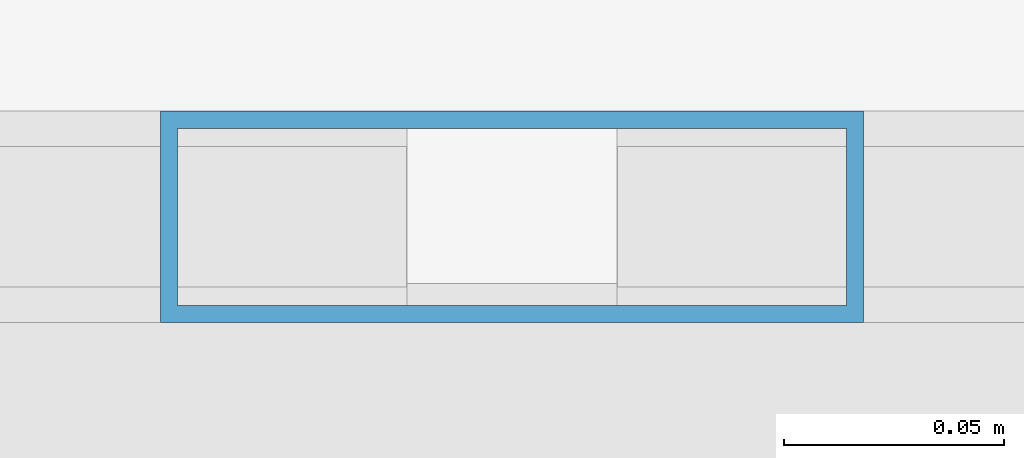
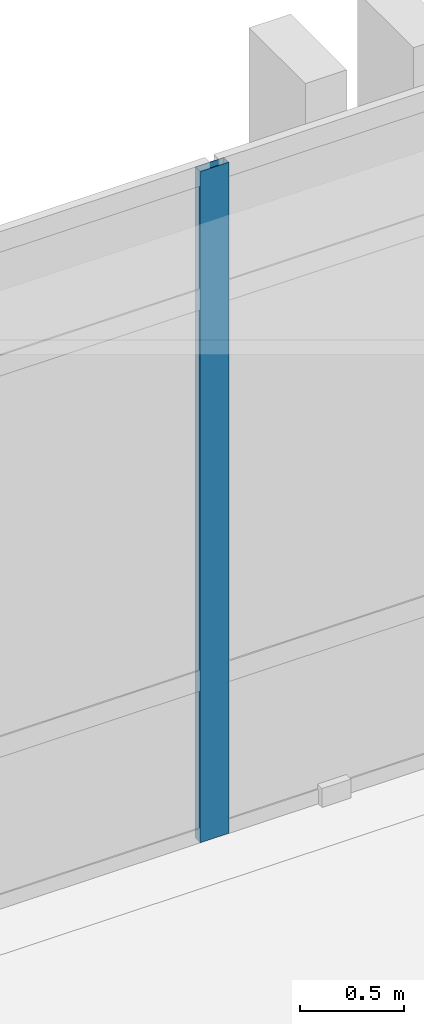
# One storey, part 43 of 77: 1 member, 1 element without a shape of its own.
"""IFC4 building model written with IfcOpenShell, lengths in metres."""

import ifcopenshell
import ifcopenshell.guid

model = None  # the IFC model being written
_history = None  # IfcOwnerHistory: only IFC2X3 demands one
_inside = {}  # id of a spatial element -> (the spatial element, [elements in it])
_under = {}  # id of a project, library or spatial element -> (it, [spatial elements below it])
_declared = {}  # id of a project -> (the project, [libraries it declares])
_typed = {}  # id of a type object -> (the type object, [elements of that type])
_made_of = {}  # id of a material, layer set ... -> (it, [elements and type objects made of it])


def new_model(schema):
    """Start an empty IFC model of exactly this schema.

    Asked for "IFC4X3", IfcOpenShell would pick the latest addendum, in which some entities
    have other attributes; the version numbers below select the first issue.
    IFC2X3 requires an IfcOwnerHistory on every rooted entity: one is made here for all.
    """
    global model, _history
    if schema == "IFC4X3":
        model = ifcopenshell.file(schema_version=(4, 3, 0, 0))
    else:
        model = ifcopenshell.file(schema=schema)
    _inside.clear()
    _under.clear()
    _declared.clear()
    _typed.clear()
    _made_of.clear()
    _history = None
    if model.schema == "IFC2X3":
        org = make("IfcOrganization", Name="unknown")
        user = make(
            "IfcPersonAndOrganization",
            ThePerson=make("IfcPerson", FamilyName="unknown"),
            TheOrganization=org,
        )
        app = make(
            "IfcApplication",
            ApplicationDeveloper=org,
            Version="unknown",
            ApplicationFullName="unknown",
            ApplicationIdentifier="unknown",
        )
        _history = make(
            "IfcOwnerHistory",
            OwningUser=user,
            OwningApplication=app,
            ChangeAction="ADDED",
            CreationDate=0,
        )
    return model


def make(cls, **values):
    """One entity of the class cls with the attributes given. An attribute that is None is left unset."""
    return model.create_entity(
        cls, **{name: value for name, value in values.items() if value is not None}
    )


def rooted(cls, **values):
    """An entity with a GlobalId (a new one), such as an element, a storey or a relation."""
    return make(cls, GlobalId=ifcopenshell.guid.new(), OwnerHistory=_history, **values)


def si_unit(unit_type, name, prefix=None):
    """IfcSIUnit, for example si_unit("LENGTHUNIT", "METRE", prefix="MILLI")."""
    return make("IfcSIUnit", UnitType=unit_type, Prefix=prefix, Name=name)


def assignment(units):
    """IfcUnitAssignment: the units of a project."""
    return None if units is None else make("IfcUnitAssignment", Units=units)


def point(xyz):
    """IfcCartesianPoint."""
    return None if xyz is None else make("IfcCartesianPoint", Coordinates=xyz)


def direction(xyz):
    """IfcDirection."""
    return None if xyz is None else make("IfcDirection", DirectionRatios=xyz)


def frame(location, z_axis=None, x_axis=None):
    """IfcAxis2Placement3D, a coordinate frame: its origin and axes. An axis left out is left unset."""
    return make(
        "IfcAxis2Placement3D",
        Location=point(location),
        Axis=direction(z_axis),
        RefDirection=direction(x_axis),
    )


def frame_2d(location, x_axis=None):
    """IfcAxis2Placement2D, a coordinate frame in the plane: its origin and x axis."""
    return make(
        "IfcAxis2Placement2D", Location=point(location), RefDirection=direction(x_axis)
    )


def origin():
    """The frame at (0, 0, 0) with its axes left unset."""
    return frame((0.0, 0.0, 0.0))


def origin_2d():
    """The frame at (0, 0) in the plane with its x axis left unset."""
    return frame_2d((0.0, 0.0))


def place(relative_to, where):
    """IfcLocalPlacement: puts the frame where relative to a parent placement (None: the world)."""
    return make(
        "IfcLocalPlacement", PlacementRelTo=relative_to, RelativePlacement=where
    )


def context(
    kind, dimensions, precision=None, world=None, true_north=None, identifier=None
):
    """IfcGeometricRepresentationContext, for example the 3D "Model" context."""
    return make(
        "IfcGeometricRepresentationContext",
        ContextIdentifier=identifier,
        ContextType=kind,
        CoordinateSpaceDimension=dimensions,
        Precision=precision,
        WorldCoordinateSystem=world,
        TrueNorth=true_north,
    )


def subcontext(parent, identifier, kind, view, scale=None):
    """IfcGeometricRepresentationSubContext, for example "Body" below "Model"."""
    return make(
        "IfcGeometricRepresentationSubContext",
        ContextIdentifier=identifier,
        ContextType=kind,
        ParentContext=parent,
        TargetScale=scale,
        TargetView=view,
    )


def project(units=None, contexts=None):
    """IfcProject with its units and contexts."""
    return rooted(
        "IfcProject",
        Name="project",
        RepresentationContexts=contexts,
        UnitsInContext=assignment(units),
    )


def spatial(cls, under=None, at=None, **own):
    """A site, building, storey or space (cls), placed at a placement, below another one or the project."""
    s = rooted(cls, ObjectPlacement=at, **own)
    if under is not None:
        _under.setdefault(under.id(), (under, []))[1].append(s)
    return s


def profile(cls, at=None, kind="AREA", **sizes):
    """A parametric profile (cls). Its sizes go by their IFC names, for example OverallWidth=200.0."""
    return make(cls, ProfileType=kind, Position=at, **sizes)


def hollow_rectangle(**sizes):
    """IfcRectangleHollowProfileDef."""
    return profile("IfcRectangleHollowProfileDef", **sizes)


def extrude(swept, where, along, depth):
    """IfcExtrudedAreaSolid: the profile swept, set in the frame where, extruded along a direction by depth."""
    return make(
        "IfcExtrudedAreaSolid",
        SweptArea=swept,
        Position=where,
        ExtrudedDirection=direction(along),
        Depth=depth,
    )


def shape(context_of_items, identifier, shape_type, items):
    """IfcShapeRepresentation: the items that make up one representation, for example the "Body"."""
    return make(
        "IfcShapeRepresentation",
        ContextOfItems=context_of_items,
        RepresentationIdentifier=identifier,
        RepresentationType=shape_type,
        Items=items,
    )


def material(Name=None, Category=None):
    """IfcMaterial."""
    return make("IfcMaterial", Name=Name, Category=Category)


def layer(
    of_material, thickness, ventilated=None, Name=None, Category=None, Priority=None
):
    """IfcMaterialLayer: one layer of a wall or slab, of a material (None: an air gap)."""
    return make(
        "IfcMaterialLayer",
        Material=of_material,
        LayerThickness=thickness,
        IsVentilated=ventilated,
        Name=Name,
        Category=Category,
        Priority=Priority,
    )


def layer_set(layers, Name=None):
    """IfcMaterialLayerSet."""
    return make("IfcMaterialLayerSet", MaterialLayers=layers, LayerSetName=Name)


def material_profile(
    of_material, cross_section, Name=None, Category=None, Priority=None
):
    """IfcMaterialProfile: a cross section and its material."""
    return make(
        "IfcMaterialProfile",
        Name=Name,
        Material=of_material,
        Profile=cross_section,
        Priority=Priority,
        Category=Category,
    )


def profile_set(profiles, Name=None, composite=None):
    """IfcMaterialProfileSet."""
    return make(
        "IfcMaterialProfileSet",
        Name=Name,
        MaterialProfiles=profiles,
        CompositeProfile=composite,
    )


def made_of(thing, what):
    """Note that an element or type object is made of a material, layer set ...; save() writes the relation."""
    if what is not None:
        _made_of.setdefault(what.id(), (what, []))[1].append(thing)
    return thing


def type_object(cls, material=None, **own):
    """A type object (cls), such as IfcWallType, which elements share."""
    return made_of(rooted(cls, **own), material)


def element(
    cls,
    number,
    at=None,
    inside=None,
    cuts=None,
    type_object=None,
    material=None,
    context=None,
    identifier="Body",
    shape_type=None,
    held_by="IfcProductDefinitionShape",
    body=None,
    shapes=None,
    **own,
):
    """One element of the class cls, such as IfcWall. Its Tag is "e" and its number.

    at: its placement. inside: the storey or other place that contains it. cuts: it is an
    opening in that element (IfcRelVoidsElement). A single representation is given by context,
    identifier, shape_type and body (its items); several are given by shapes. held_by: the class
    of the entity that holds the representations. save() writes the other relations.
    """
    e = rooted(cls, Tag="e%d" % number, ObjectPlacement=at, **own)
    if body is not None:
        shapes = [shape(context, identifier, shape_type, body)]
    if shapes is not None:
        e.Representation = make(held_by, Representations=shapes)
    if inside is not None:
        _inside.setdefault(inside.id(), (inside, []))[1].append(e)
    if cuts is not None:
        rooted(
            "IfcRelVoidsElement", RelatingBuildingElement=cuts, RelatedOpeningElement=e
        )
    if type_object is not None:
        _typed.setdefault(type_object.id(), (type_object, []))[1].append(e)
    return made_of(e, material)


def aggregate(whole, parts):
    """IfcRelAggregates: a whole, such as a stair, and the parts it consists of."""
    return rooted("IfcRelAggregates", RelatingObject=whole, RelatedObjects=parts)


def save(model, path):
    """Write the relations noted so far, then the file.

    IfcRelAggregates (storeys below a building ...), IfcRelContainedInSpatialStructure (elements
    in a storey), IfcRelDefinesByType, IfcRelAssociatesMaterial and IfcRelDeclares: one each for
    every whole, place, type object, material and project.
    """
    for whole, parts in _under.values():
        aggregate(whole, parts)
    for where, things in _inside.values():
        rooted(
            "IfcRelContainedInSpatialStructure",
            RelatedElements=things,
            RelatingStructure=where,
        )
    for kind, things in _typed.values():
        rooted("IfcRelDefinesByType", RelatedObjects=things, RelatingType=kind)
    for what, things in _made_of.values():
        rooted("IfcRelAssociatesMaterial", RelatedObjects=things, RelatingMaterial=what)
    for by, libraries in _declared.values():
        rooted("IfcRelDeclares", RelatingContext=by, RelatedDefinitions=libraries)
    model.write(path)


model = new_model("IFC4")

# Units and contexts
model_context = context("Model", 3, precision=1e-05, world=origin(), true_north=direction((0.0, 1.0)))
body_context = subcontext(model_context, "Body", "Model", "MODEL_VIEW")
ifc_project = project(units=[si_unit("LENGTHUNIT", "METRE"), si_unit("AREAUNIT", "SQUARE_METRE"), si_unit("VOLUMEUNIT", "CUBIC_METRE"), si_unit("PLANEANGLEUNIT", "RADIAN"), si_unit("MASSUNIT", "GRAM", prefix="KILO")], contexts=[model_context])

# Site, building, storey
site_placement = place(None, origin())
site = spatial("IfcSite", under=ifc_project, at=site_placement, CompositionType="ELEMENT")
building_placement = place(site_placement, origin())
building = spatial("IfcBuilding", under=site, at=building_placement, Name="Qalavern Law Courts", CompositionType="ELEMENT")
storey_placement = place(building_placement, frame((0.0, 0.0, 27.0)))
storey = spatial("IfcBuildingStorey", under=building, at=storey_placement, Name="L06", CompositionType="ELEMENT", Elevation=27.0)

# Curtain wall, member
ifc_material_1 = material(Name="Anodised aluminium and insulated glazing", Category="aluminium")
ifc_layer = layer(ifc_material_1, 0.159912109375)
ifc_layer_set = layer_set([ifc_layer], Name="Anodised aluminium and insulated glazing")
curtain_wall_type = type_object("IfcCurtainWallType", Name="ENV-CW-CHAMB", PredefinedType="USERDEFINED", material=ifc_layer_set)
curtain_wall_placement = place(storey_placement, origin())
curtain_wall = element("IfcCurtainWall", 1, at=curtain_wall_placement, inside=storey, type_object=curtain_wall_type, Name="V4 unitised curtain wall L06 north 1", ObjectType="UNITISED CURTAIN WALL", PredefinedType="USERDEFINED")
ifc_material_2 = material(Name="Anodised aluminium", Category="aluminium")
ifc_material_profile = material_profile(ifc_material_2, hollow_rectangle(XDim=0.048095703125, YDim=0.159912109375, WallThickness=0.00390625, at=origin_2d()), Name="ALU MULLION 48x160")
ifc_profile_set = profile_set([ifc_material_profile], Name="Anodised aluminium")
member_type = type_object("IfcMemberType", Name="ENV-CWM-48x160", PredefinedType="MULLION", material=ifc_profile_set)
member_placement = place(storey_placement, frame((98.344482421875, 85.614990234375, 0.0), z_axis=(0.0, 0.0, 1.0), x_axis=(0.0, -1.0, 0.0)))
member = element("IfcMember", 2, at=member_placement, type_object=member_type, Name="CW-04 mullion 6", PredefinedType="MULLION", context=body_context, shape_type="SweptSolid", body=[
    extrude(hollow_rectangle(XDim=0.048095703125, YDim=0.159912109375, WallThickness=0.00390625, at=origin_2d()), origin(), (0.0, 0.0, 1.0), 3.93505859375),
])
aggregate(curtain_wall, [member])

save(model, "model.ifc")
